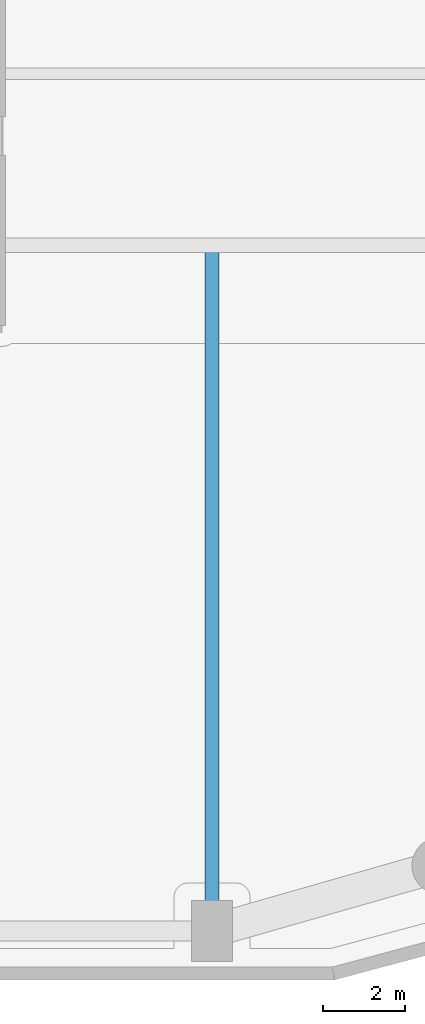
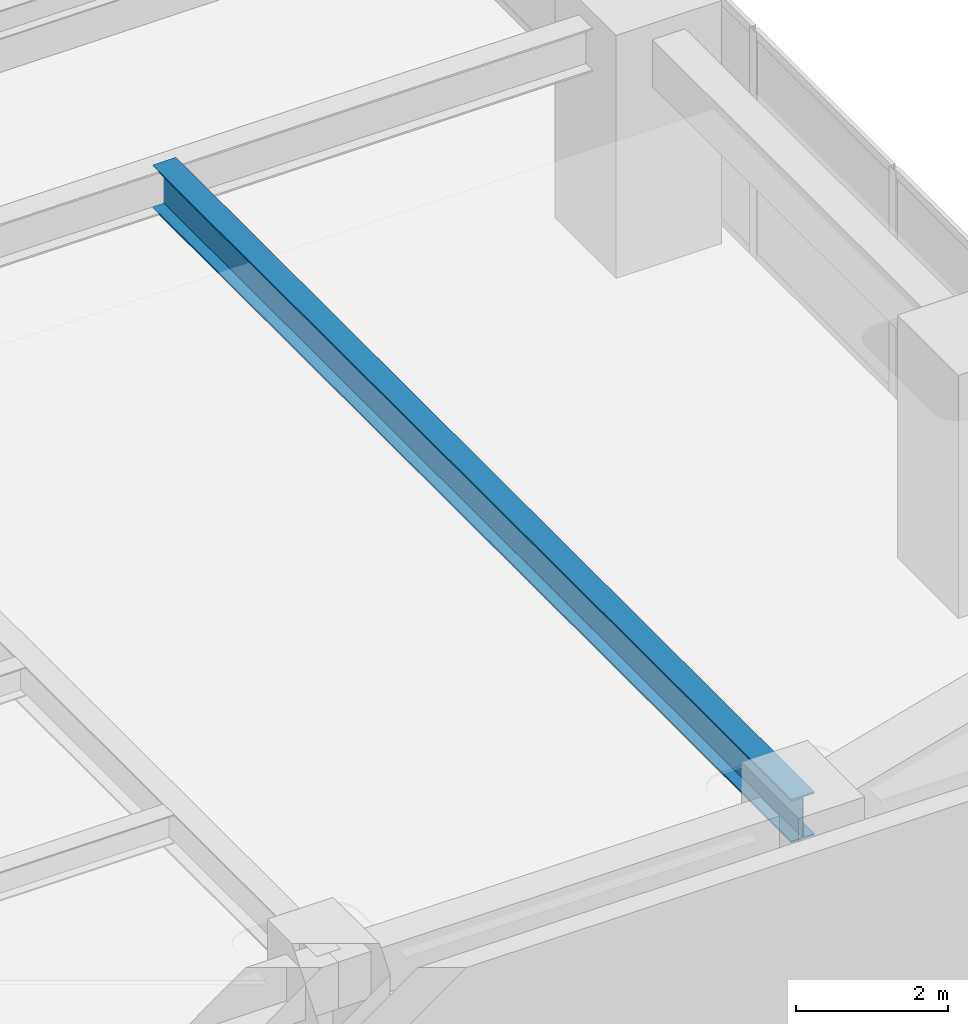
# One storey, part 5 of 29: 1 beam.
"""IFC4 building model written with IfcOpenShell, lengths in metres."""

from ifc_helpers import new_model, si_unit, direction, frame, origin, origin_2d, place, context, subcontext, project, spatial, i_section, extrude, material, material_profile, profile_set, type_object, element, save


model = new_model("IFC4")

# Units and contexts
model_context = context("Model", 3, precision=1e-05, world=origin(), true_north=direction((0.0, 1.0)))
body_context = subcontext(model_context, "Body", "Model", "MODEL_VIEW")
ifc_project = project(units=[si_unit("LENGTHUNIT", "METRE"), si_unit("AREAUNIT", "SQUARE_METRE"), si_unit("VOLUMEUNIT", "CUBIC_METRE"), si_unit("PLANEANGLEUNIT", "RADIAN"), si_unit("MASSUNIT", "GRAM", prefix="KILO")], contexts=[model_context])

# Site, building, storey
site_placement = place(None, origin())
site = spatial("IfcSite", under=ifc_project, at=site_placement, CompositionType="ELEMENT")
building_placement = place(site_placement, origin())
building = spatial("IfcBuilding", under=site, at=building_placement, Name="Kiyonajd Concourse Tower", CompositionType="ELEMENT")
storey_placement = place(building_placement, frame((0.0, 0.0, 25.5)))
storey = spatial("IfcBuildingStorey", under=building, at=storey_placement, Name="L07", CompositionType="ELEMENT", Elevation=25.5)

# Beam
ifc_material = material(Name="Steel ASTM A992 Grade 50", Category="steel")
ifc_material_profile = material_profile(ifc_material, i_section(OverallWidth=0.35498046875, OverallDepth=0.695068359375, WebThickness=0.015380859375, FlangeThickness=0.02490234375, at=origin_2d()), Name="W690X217")
ifc_profile_set = profile_set([ifc_material_profile], Name="Steel ASTM A992 Grade 50")
beam_type = type_object("IfcBeamType", Name="BM-TWR-690", PredefinedType="BEAM", material=ifc_profile_set)
beam_placement = place(storey_placement, frame((70.800048828125, 10.800048828125, 3.29248046875), z_axis=(0.0, 1.0, 0.0), x_axis=(-1.0, 0.0, 0.0)))
element("IfcBeam", 1, at=beam_placement, inside=storey, type_object=beam_type, Name="L07 South Lease Girder", PredefinedType="BEAM", context=body_context, shape_type="SweptSolid", body=[
    extrude(i_section(OverallWidth=0.35498046875, OverallDepth=0.695068359375, WebThickness=0.015380859375, FlangeThickness=0.02490234375, at=origin_2d()), origin(), (0.0, 0.0, 1.0), 16.800048828125),
])

save(model, "model.ifc")
